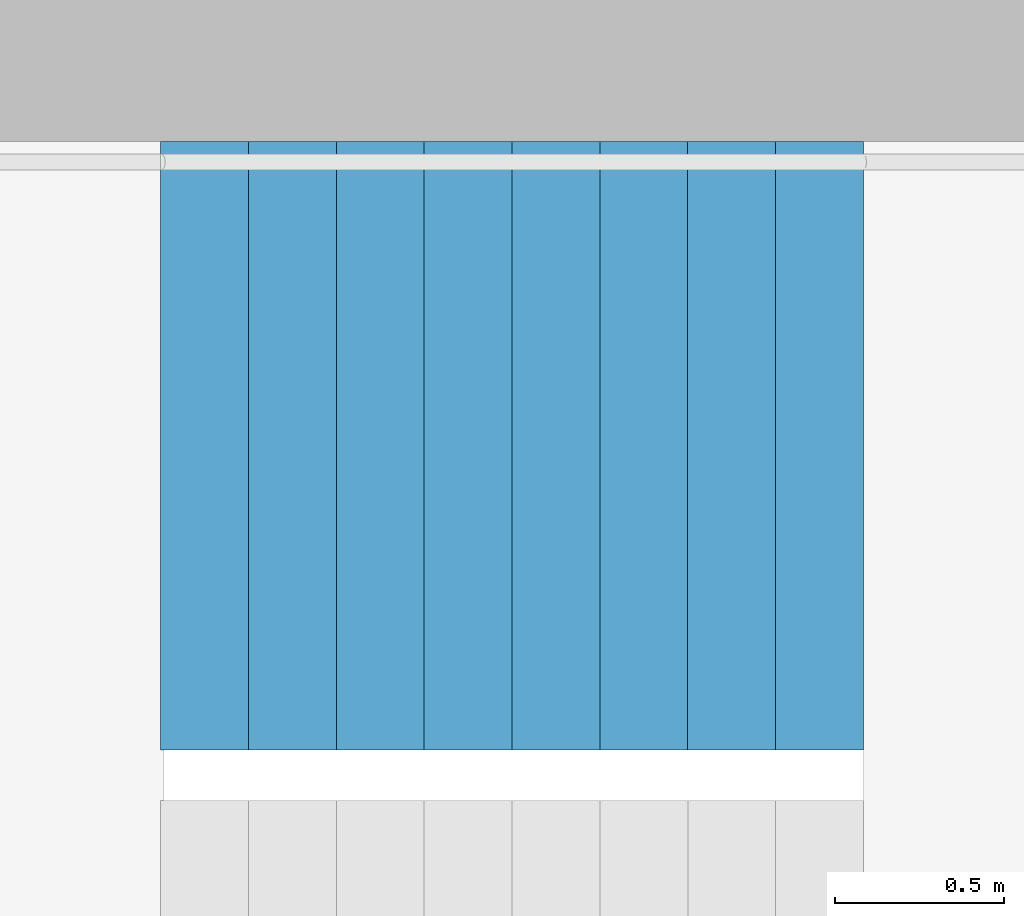
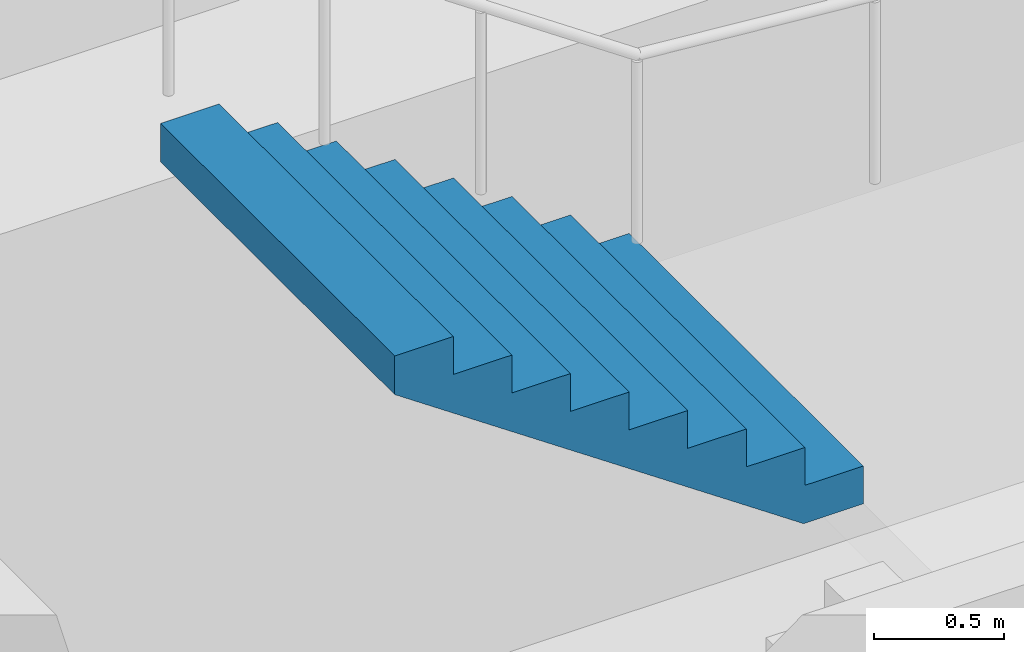
# One storey, part 21 of 26: 1 stair flight, 1 element without a shape of its own.
"""IFC4 building model written with IfcOpenShell, lengths in metres."""

import ifcopenshell
import ifcopenshell.guid

model = None  # the IFC model being written
_history = None  # IfcOwnerHistory: only IFC2X3 demands one
_inside = {}  # id of a spatial element -> (the spatial element, [elements in it])
_under = {}  # id of a project, library or spatial element -> (it, [spatial elements below it])
_declared = {}  # id of a project -> (the project, [libraries it declares])
_typed = {}  # id of a type object -> (the type object, [elements of that type])
_made_of = {}  # id of a material, layer set ... -> (it, [elements and type objects made of it])


def new_model(schema):
    """Start an empty IFC model of exactly this schema.

    Asked for "IFC4X3", IfcOpenShell would pick the latest addendum, in which some entities
    have other attributes; the version numbers below select the first issue.
    IFC2X3 requires an IfcOwnerHistory on every rooted entity: one is made here for all.
    """
    global model, _history
    if schema == "IFC4X3":
        model = ifcopenshell.file(schema_version=(4, 3, 0, 0))
    else:
        model = ifcopenshell.file(schema=schema)
    _inside.clear()
    _under.clear()
    _declared.clear()
    _typed.clear()
    _made_of.clear()
    _history = None
    if model.schema == "IFC2X3":
        org = make("IfcOrganization", Name="unknown")
        user = make(
            "IfcPersonAndOrganization",
            ThePerson=make("IfcPerson", FamilyName="unknown"),
            TheOrganization=org,
        )
        app = make(
            "IfcApplication",
            ApplicationDeveloper=org,
            Version="unknown",
            ApplicationFullName="unknown",
            ApplicationIdentifier="unknown",
        )
        _history = make(
            "IfcOwnerHistory",
            OwningUser=user,
            OwningApplication=app,
            ChangeAction="ADDED",
            CreationDate=0,
        )
    return model


def make(cls, **values):
    """One entity of the class cls with the attributes given. An attribute that is None is left unset."""
    return model.create_entity(
        cls, **{name: value for name, value in values.items() if value is not None}
    )


def rooted(cls, **values):
    """An entity with a GlobalId (a new one), such as an element, a storey or a relation."""
    return make(cls, GlobalId=ifcopenshell.guid.new(), OwnerHistory=_history, **values)


def si_unit(unit_type, name, prefix=None):
    """IfcSIUnit, for example si_unit("LENGTHUNIT", "METRE", prefix="MILLI")."""
    return make("IfcSIUnit", UnitType=unit_type, Prefix=prefix, Name=name)


def assignment(units):
    """IfcUnitAssignment: the units of a project."""
    return None if units is None else make("IfcUnitAssignment", Units=units)


def point(xyz):
    """IfcCartesianPoint."""
    return None if xyz is None else make("IfcCartesianPoint", Coordinates=xyz)


def direction(xyz):
    """IfcDirection."""
    return None if xyz is None else make("IfcDirection", DirectionRatios=xyz)


def frame(location, z_axis=None, x_axis=None):
    """IfcAxis2Placement3D, a coordinate frame: its origin and axes. An axis left out is left unset."""
    return make(
        "IfcAxis2Placement3D",
        Location=point(location),
        Axis=direction(z_axis),
        RefDirection=direction(x_axis),
    )


def origin():
    """The frame at (0, 0, 0) with its axes left unset."""
    return frame((0.0, 0.0, 0.0))


def place(relative_to, where):
    """IfcLocalPlacement: puts the frame where relative to a parent placement (None: the world)."""
    return make(
        "IfcLocalPlacement", PlacementRelTo=relative_to, RelativePlacement=where
    )


def context(
    kind, dimensions, precision=None, world=None, true_north=None, identifier=None
):
    """IfcGeometricRepresentationContext, for example the 3D "Model" context."""
    return make(
        "IfcGeometricRepresentationContext",
        ContextIdentifier=identifier,
        ContextType=kind,
        CoordinateSpaceDimension=dimensions,
        Precision=precision,
        WorldCoordinateSystem=world,
        TrueNorth=true_north,
    )


def subcontext(parent, identifier, kind, view, scale=None):
    """IfcGeometricRepresentationSubContext, for example "Body" below "Model"."""
    return make(
        "IfcGeometricRepresentationSubContext",
        ContextIdentifier=identifier,
        ContextType=kind,
        ParentContext=parent,
        TargetScale=scale,
        TargetView=view,
    )


def project(units=None, contexts=None):
    """IfcProject with its units and contexts."""
    return rooted(
        "IfcProject",
        Name="project",
        RepresentationContexts=contexts,
        UnitsInContext=assignment(units),
    )


def spatial(cls, under=None, at=None, **own):
    """A site, building, storey or space (cls), placed at a placement, below another one or the project."""
    s = rooted(cls, ObjectPlacement=at, **own)
    if under is not None:
        _under.setdefault(under.id(), (under, []))[1].append(s)
    return s


def point_list(points):
    """IfcCartesianPointList2D or 3D."""
    cls = (
        "IfcCartesianPointList2D" if len(points[0]) == 2 else "IfcCartesianPointList3D"
    )
    return make(cls, CoordList=points)


def triangles(points, corners, closed=None, point_numbers=None):
    """IfcTriangulatedFaceSet: each triangle names its three corners, points numbered from 1."""
    return make(
        "IfcTriangulatedFaceSet",
        Coordinates=point_list(points),
        Closed=closed,
        CoordIndex=corners,
        PnIndex=point_numbers,
    )


def shape(context_of_items, identifier, shape_type, items):
    """IfcShapeRepresentation: the items that make up one representation, for example the "Body"."""
    return make(
        "IfcShapeRepresentation",
        ContextOfItems=context_of_items,
        RepresentationIdentifier=identifier,
        RepresentationType=shape_type,
        Items=items,
    )


def material(Name=None, Category=None):
    """IfcMaterial."""
    return make("IfcMaterial", Name=Name, Category=Category)


def made_of(thing, what):
    """Note that an element or type object is made of a material, layer set ...; save() writes the relation."""
    if what is not None:
        _made_of.setdefault(what.id(), (what, []))[1].append(thing)
    return thing


def type_object(cls, material=None, **own):
    """A type object (cls), such as IfcWallType, which elements share."""
    return made_of(rooted(cls, **own), material)


def element(
    cls,
    number,
    at=None,
    inside=None,
    cuts=None,
    type_object=None,
    material=None,
    context=None,
    identifier="Body",
    shape_type=None,
    held_by="IfcProductDefinitionShape",
    body=None,
    shapes=None,
    **own,
):
    """One element of the class cls, such as IfcWall. Its Tag is "e" and its number.

    at: its placement. inside: the storey or other place that contains it. cuts: it is an
    opening in that element (IfcRelVoidsElement). A single representation is given by context,
    identifier, shape_type and body (its items); several are given by shapes. held_by: the class
    of the entity that holds the representations. save() writes the other relations.
    """
    e = rooted(cls, Tag="e%d" % number, ObjectPlacement=at, **own)
    if body is not None:
        shapes = [shape(context, identifier, shape_type, body)]
    if shapes is not None:
        e.Representation = make(held_by, Representations=shapes)
    if inside is not None:
        _inside.setdefault(inside.id(), (inside, []))[1].append(e)
    if cuts is not None:
        rooted(
            "IfcRelVoidsElement", RelatingBuildingElement=cuts, RelatedOpeningElement=e
        )
    if type_object is not None:
        _typed.setdefault(type_object.id(), (type_object, []))[1].append(e)
    return made_of(e, material)


def aggregate(whole, parts):
    """IfcRelAggregates: a whole, such as a stair, and the parts it consists of."""
    return rooted("IfcRelAggregates", RelatingObject=whole, RelatedObjects=parts)


def save(model, path):
    """Write the relations noted so far, then the file.

    IfcRelAggregates (storeys below a building ...), IfcRelContainedInSpatialStructure (elements
    in a storey), IfcRelDefinesByType, IfcRelAssociatesMaterial and IfcRelDeclares: one each for
    every whole, place, type object, material and project.
    """
    for whole, parts in _under.values():
        aggregate(whole, parts)
    for where, things in _inside.values():
        rooted(
            "IfcRelContainedInSpatialStructure",
            RelatedElements=things,
            RelatingStructure=where,
        )
    for kind, things in _typed.values():
        rooted("IfcRelDefinesByType", RelatedObjects=things, RelatingType=kind)
    for what, things in _made_of.values():
        rooted("IfcRelAssociatesMaterial", RelatedObjects=things, RelatingMaterial=what)
    for by, libraries in _declared.values():
        rooted("IfcRelDeclares", RelatingContext=by, RelatedDefinitions=libraries)
    model.write(path)


model = new_model("IFC4")

# Units and contexts
model_context = context("Model", 3, precision=1e-05, world=origin(), true_north=direction((0.0, 1.0)))
body_context = subcontext(model_context, "Body", "Model", "MODEL_VIEW")
ifc_project = project(units=[si_unit("LENGTHUNIT", "METRE"), si_unit("AREAUNIT", "SQUARE_METRE"), si_unit("VOLUMEUNIT", "CUBIC_METRE"), si_unit("PLANEANGLEUNIT", "RADIAN"), si_unit("MASSUNIT", "GRAM", prefix="KILO")], contexts=[model_context])

# Site, building, storey
site_placement = place(None, origin())
site = spatial("IfcSite", under=ifc_project, at=site_placement, CompositionType="ELEMENT")
building_placement = place(site_placement, origin())
building = spatial("IfcBuilding", under=site, at=building_placement, Name="Hakoniwa Tower and Hamabe Station Hall", CompositionType="ELEMENT")
storey_placement = place(building_placement, frame((0.0, 0.0, 251.800048828125)))
storey = spatial("IfcBuildingStorey", under=building, at=storey_placement, Name="L71", CompositionType="ELEMENT", Elevation=251.800048828125)

# Stair, stair flight
ifc_material_1 = material(Name="Concrete C40", Category="concrete")
stair_type = type_object("IfcStairType", Name="ESCAPE STAIR 1800", PredefinedType="HALF_TURN_STAIR", material=ifc_material_1)
stair_placement = place(storey_placement, origin())
stair = element("IfcStair", 1, at=stair_placement, inside=storey, type_object=stair_type, Name="Escape stair ST-1 L71", PredefinedType="HALF_TURN_STAIR")
ifc_material_2 = material(Name="Concrete C40", Category="concrete")
stair_flight_type = type_object("IfcStairFlightType", Name="STAIR FLIGHT 1800", PredefinedType="STRAIGHT", material=ifc_material_2)
stair_flight_placement = place(storey_placement, frame((-22.320068359375, 6.60009765625, 1.599853515625), z_axis=(0.0, 0.0, 1.0), x_axis=(-1.0, 0.0, 0.0)))
stair_flight = element("IfcStairFlight", 2, at=stair_flight_placement, type_object=stair_flight_type, Name="ST-1 flight 2", NumberOfRisers=9, NumberOfTreads=8, PredefinedType="STRAIGHT", RiserHeight=0.177777778, TreadLength=0.26, context=body_context, shape_type="Tessellation", body=[
    triangles([(0.0, 0.89990234375, 0.0), (0.260009765625, 0.89990234375, 0.0), (0.265625, 0.89990234375, 0.0), (0.52001953125, 0.89990234375, 0.174072265625), (0.780029296875, 0.89990234375, 0.351806640625), (1.0400390625, 0.89990234375, 0.529541015625), (1.300048828125, 0.89990234375, 0.707275390625), (1.56005859375, 0.89990234375, 0.885009765625), (1.820068359375, 0.89990234375, 1.062744140625), (2.080078125, 0.89990234375, 1.24072265625), (2.080078125, 0.89990234375, 1.422119140625), (1.820068359375, 0.89990234375, 1.422119140625), (1.820068359375, 0.89990234375, 1.244384765625), (1.56005859375, 0.89990234375, 1.244384765625), (1.56005859375, 0.89990234375, 1.066650390625), (1.300048828125, 0.89990234375, 1.066650390625), (1.300048828125, 0.89990234375, 0.888916015625), (1.0400390625, 0.89990234375, 0.888916015625), (1.0400390625, 0.89990234375, 0.711181640625), (0.780029296875, 0.89990234375, 0.711181640625), (0.780029296875, 0.89990234375, 0.533447265625), (0.52001953125, 0.89990234375, 0.533447265625), (0.52001953125, 0.89990234375, 0.35546875), (0.265625, 0.89990234375, 0.35546875), (0.260009765625, 0.89990234375, 0.35546875), (0.260009765625, 0.89990234375, 0.177734375), (0.0, 0.89990234375, 0.177734375), (0.0, 0.06005859375, 0.0), (0.260009765625, 0.06005859375, 0.0), (0.265625, 0.06005859375, 0.0), (0.52001953125, 0.06005859375, 0.174072265625), (0.780029296875, 0.06005859375, 0.351806640625), (1.0400390625, 0.06005859375, 0.529541015625), (1.300048828125, 0.06005859375, 0.707275390625), (1.56005859375, 0.06005859375, 0.885009765625), (1.820068359375, 0.06005859375, 1.062744140625), (2.080078125, 0.06005859375, 1.24072265625), (2.080078125, 0.06005859375, 1.422119140625), (1.820068359375, 0.06005859375, 1.422119140625), (1.820068359375, 0.06005859375, 1.244384765625), (1.56005859375, 0.06005859375, 1.244384765625), (1.56005859375, 0.06005859375, 1.066650390625), (1.300048828125, 0.06005859375, 1.066650390625), (1.300048828125, 0.06005859375, 0.888916015625), (1.0400390625, 0.06005859375, 0.888916015625), (1.0400390625, 0.06005859375, 0.711181640625), (0.780029296875, 0.06005859375, 0.711181640625), (0.780029296875, 0.06005859375, 0.533447265625), (0.52001953125, 0.06005859375, 0.533447265625), (0.52001953125, 0.06005859375, 0.35546875), (0.265625, 0.06005859375, 0.35546875), (0.260009765625, 0.06005859375, 0.35546875), (0.260009765625, 0.06005859375, 0.177734375), (0.0, 0.06005859375, 0.177734375), (0.0, 0.04296875, 0.0), (0.260009765625, 0.04296875, 0.0), (0.265625, 0.04296875, 0.0), (0.52001953125, 0.04296875, 0.174072265625), (0.780029296875, 0.04296875, 0.351806640625), (1.0400390625, 0.04296875, 0.529541015625), (1.300048828125, 0.04296875, 0.707275390625), (1.56005859375, 0.04296875, 0.885009765625), (1.820068359375, 0.04296875, 1.062744140625), (2.080078125, 0.04296875, 1.24072265625), (2.080078125, 0.04296875, 1.422119140625), (1.820068359375, 0.04296875, 1.422119140625), (1.820068359375, 0.04296875, 1.244384765625), (1.56005859375, 0.04296875, 1.244384765625), (1.56005859375, 0.04296875, 1.066650390625), (1.300048828125, 0.04296875, 1.066650390625), (1.300048828125, 0.04296875, 0.888916015625), (1.0400390625, 0.04296875, 0.888916015625), (1.0400390625, 0.04296875, 0.711181640625), (0.780029296875, 0.04296875, 0.711181640625), (0.780029296875, 0.04296875, 0.533447265625), (0.52001953125, 0.04296875, 0.533447265625), (0.52001953125, 0.04296875, 0.35546875), (0.265625, 0.04296875, 0.35546875), (0.260009765625, 0.04296875, 0.35546875), (0.260009765625, 0.04296875, 0.177734375), (0.0, 0.04296875, 0.177734375), (0.0, 0.025634765625, 0.0), (0.260009765625, 0.025634765625, 0.0), (0.265625, 0.025634765625, 0.0), (0.52001953125, 0.025634765625, 0.174072265625), (0.780029296875, 0.025634765625, 0.351806640625), (1.0400390625, 0.025634765625, 0.529541015625), (1.300048828125, 0.025634765625, 0.707275390625), (1.56005859375, 0.025634765625, 0.885009765625), (1.820068359375, 0.025634765625, 1.062744140625), (2.080078125, 0.025634765625, 1.24072265625), (2.080078125, 0.025634765625, 1.422119140625), (1.820068359375, 0.025634765625, 1.422119140625), (1.820068359375, 0.025634765625, 1.244384765625), (1.56005859375, 0.025634765625, 1.244384765625), (1.56005859375, 0.025634765625, 1.066650390625), (1.300048828125, 0.025634765625, 1.066650390625), (1.300048828125, 0.025634765625, 0.888916015625), (1.0400390625, 0.025634765625, 0.888916015625), (1.0400390625, 0.025634765625, 0.711181640625), (0.780029296875, 0.025634765625, 0.711181640625), (0.780029296875, 0.025634765625, 0.533447265625), (0.52001953125, 0.025634765625, 0.533447265625), (0.52001953125, 0.025634765625, 0.35546875), (0.265625, 0.025634765625, 0.35546875), (0.260009765625, 0.025634765625, 0.35546875), (0.260009765625, 0.025634765625, 0.177734375), (0.0, 0.025634765625, 0.177734375), (0.0, 0.008544921875, 0.0), (0.260009765625, 0.008544921875, 0.0), (0.265625, 0.008544921875, 0.0), (0.52001953125, 0.008544921875, 0.174072265625), (0.780029296875, 0.008544921875, 0.351806640625), (1.0400390625, 0.008544921875, 0.529541015625), (1.300048828125, 0.008544921875, 0.707275390625), (1.56005859375, 0.008544921875, 0.885009765625), (1.820068359375, 0.008544921875, 1.062744140625), (2.080078125, 0.008544921875, 1.24072265625), (2.080078125, 0.008544921875, 1.422119140625), (1.820068359375, 0.008544921875, 1.422119140625), (1.820068359375, 0.008544921875, 1.244384765625), (1.56005859375, 0.008544921875, 1.244384765625), (1.56005859375, 0.008544921875, 1.066650390625), (1.300048828125, 0.008544921875, 1.066650390625), (1.300048828125, 0.008544921875, 0.888916015625), (1.0400390625, 0.008544921875, 0.888916015625), (1.0400390625, 0.008544921875, 0.711181640625), (0.780029296875, 0.008544921875, 0.711181640625), (0.780029296875, 0.008544921875, 0.533447265625), (0.52001953125, 0.008544921875, 0.533447265625), (0.52001953125, 0.008544921875, 0.35546875), (0.265625, 0.008544921875, 0.35546875), (0.260009765625, 0.008544921875, 0.35546875), (0.260009765625, 0.008544921875, 0.177734375), (0.0, 0.008544921875, 0.177734375), (0.0, -0.008544921875, 0.0), (0.260009765625, -0.008544921875, 0.0), (0.265625, -0.008544921875, 0.0), (0.52001953125, -0.008544921875, 0.174072265625), (0.780029296875, -0.008544921875, 0.351806640625), (1.0400390625, -0.008544921875, 0.529541015625), (1.300048828125, -0.008544921875, 0.707275390625), (1.56005859375, -0.008544921875, 0.885009765625), (1.820068359375, -0.008544921875, 1.062744140625), (2.080078125, -0.008544921875, 1.24072265625), (2.080078125, -0.008544921875, 1.422119140625), (1.820068359375, -0.008544921875, 1.422119140625), (1.820068359375, -0.008544921875, 1.244384765625), (1.56005859375, -0.008544921875, 1.244384765625), (1.56005859375, -0.008544921875, 1.066650390625), (1.300048828125, -0.008544921875, 1.066650390625), (1.300048828125, -0.008544921875, 0.888916015625), (1.0400390625, -0.008544921875, 0.888916015625), (1.0400390625, -0.008544921875, 0.711181640625), (0.780029296875, -0.008544921875, 0.711181640625), (0.780029296875, -0.008544921875, 0.533447265625), (0.52001953125, -0.008544921875, 0.533447265625), (0.52001953125, -0.008544921875, 0.35546875), (0.265625, -0.008544921875, 0.35546875), (0.260009765625, -0.008544921875, 0.35546875), (0.260009765625, -0.008544921875, 0.177734375), (0.0, -0.008544921875, 0.177734375), (0.0, -0.025634765625, 0.0), (0.260009765625, -0.025634765625, 0.0), (0.265625, -0.025634765625, 0.0), (0.52001953125, -0.025634765625, 0.174072265625), (0.780029296875, -0.025634765625, 0.351806640625), (1.0400390625, -0.025634765625, 0.529541015625), (1.300048828125, -0.025634765625, 0.707275390625), (1.56005859375, -0.025634765625, 0.885009765625), (1.820068359375, -0.025634765625, 1.062744140625), (2.080078125, -0.025634765625, 1.24072265625), (2.080078125, -0.025634765625, 1.422119140625), (1.820068359375, -0.025634765625, 1.422119140625), (1.820068359375, -0.025634765625, 1.244384765625), (1.56005859375, -0.025634765625, 1.244384765625), (1.56005859375, -0.025634765625, 1.066650390625), (1.300048828125, -0.025634765625, 1.066650390625), (1.300048828125, -0.025634765625, 0.888916015625), (1.0400390625, -0.025634765625, 0.888916015625), (1.0400390625, -0.025634765625, 0.711181640625), (0.780029296875, -0.025634765625, 0.711181640625), (0.780029296875, -0.025634765625, 0.533447265625), (0.52001953125, -0.025634765625, 0.533447265625), (0.52001953125, -0.025634765625, 0.35546875), (0.265625, -0.025634765625, 0.35546875), (0.260009765625, -0.025634765625, 0.35546875), (0.260009765625, -0.025634765625, 0.177734375), (0.0, -0.025634765625, 0.177734375), (0.0, -0.04296875, 0.0), (0.260009765625, -0.04296875, 0.0), (0.265625, -0.04296875, 0.0), (0.52001953125, -0.04296875, 0.174072265625), (0.780029296875, -0.04296875, 0.351806640625), (1.0400390625, -0.04296875, 0.529541015625), (1.300048828125, -0.04296875, 0.707275390625), (1.56005859375, -0.04296875, 0.885009765625), (1.820068359375, -0.04296875, 1.062744140625), (2.080078125, -0.04296875, 1.24072265625), (2.080078125, -0.04296875, 1.422119140625), (1.820068359375, -0.04296875, 1.422119140625), (1.820068359375, -0.04296875, 1.244384765625), (1.56005859375, -0.04296875, 1.244384765625), (1.56005859375, -0.04296875, 1.066650390625), (1.300048828125, -0.04296875, 1.066650390625), (1.300048828125, -0.04296875, 0.888916015625), (1.0400390625, -0.04296875, 0.888916015625), (1.0400390625, -0.04296875, 0.711181640625), (0.780029296875, -0.04296875, 0.711181640625), (0.780029296875, -0.04296875, 0.533447265625), (0.52001953125, -0.04296875, 0.533447265625), (0.52001953125, -0.04296875, 0.35546875), (0.265625, -0.04296875, 0.35546875), (0.260009765625, -0.04296875, 0.35546875), (0.260009765625, -0.04296875, 0.177734375), (0.0, -0.04296875, 0.177734375), (0.0, -0.06005859375, 0.0), (0.260009765625, -0.06005859375, 0.0), (0.265625, -0.06005859375, 0.0), (0.52001953125, -0.06005859375, 0.174072265625), (0.780029296875, -0.06005859375, 0.351806640625), (1.0400390625, -0.06005859375, 0.529541015625), (1.300048828125, -0.06005859375, 0.707275390625), (1.56005859375, -0.06005859375, 0.885009765625), (1.820068359375, -0.06005859375, 1.062744140625), (2.080078125, -0.06005859375, 1.24072265625), (2.080078125, -0.06005859375, 1.422119140625), (1.820068359375, -0.06005859375, 1.422119140625), (1.820068359375, -0.06005859375, 1.244384765625), (1.56005859375, -0.06005859375, 1.244384765625), (1.56005859375, -0.06005859375, 1.066650390625), (1.300048828125, -0.06005859375, 1.066650390625), (1.300048828125, -0.06005859375, 0.888916015625), (1.0400390625, -0.06005859375, 0.888916015625), (1.0400390625, -0.06005859375, 0.711181640625), (0.780029296875, -0.06005859375, 0.711181640625), (0.780029296875, -0.06005859375, 0.533447265625), (0.52001953125, -0.06005859375, 0.533447265625), (0.52001953125, -0.06005859375, 0.35546875), (0.265625, -0.06005859375, 0.35546875), (0.260009765625, -0.06005859375, 0.35546875), (0.260009765625, -0.06005859375, 0.177734375), (0.0, -0.06005859375, 0.177734375), (0.0, -0.89990234375, 0.0), (0.260009765625, -0.89990234375, 0.0), (0.265625, -0.89990234375, 0.0), (0.52001953125, -0.89990234375, 0.174072265625), (0.780029296875, -0.89990234375, 0.351806640625), (1.0400390625, -0.89990234375, 0.529541015625), (1.300048828125, -0.89990234375, 0.707275390625), (1.56005859375, -0.89990234375, 0.885009765625), (1.820068359375, -0.89990234375, 1.062744140625), (2.080078125, -0.89990234375, 1.24072265625), (2.080078125, -0.89990234375, 1.422119140625), (1.820068359375, -0.89990234375, 1.422119140625), (1.820068359375, -0.89990234375, 1.244384765625), (1.56005859375, -0.89990234375, 1.244384765625), (1.56005859375, -0.89990234375, 1.066650390625), (1.300048828125, -0.89990234375, 1.066650390625), (1.300048828125, -0.89990234375, 0.888916015625), (1.0400390625, -0.89990234375, 0.888916015625), (1.0400390625, -0.89990234375, 0.711181640625), (0.780029296875, -0.89990234375, 0.711181640625), (0.780029296875, -0.89990234375, 0.533447265625), (0.52001953125, -0.89990234375, 0.533447265625), (0.52001953125, -0.89990234375, 0.35546875), (0.265625, -0.89990234375, 0.35546875), (0.260009765625, -0.89990234375, 0.35546875), (0.260009765625, -0.89990234375, 0.177734375), (0.0, -0.89990234375, 0.177734375)], [[2, 27, 26], [245, 269, 270], [2, 1, 27], [245, 270, 244], [3, 25, 24], [246, 267, 268], [3, 26, 25], [246, 268, 269], [3, 2, 26], [246, 269, 245], [4, 24, 23], [247, 266, 267], [4, 3, 24], [247, 267, 246], [5, 22, 21], [248, 264, 265], [5, 23, 22], [248, 265, 266], [5, 4, 23], [248, 266, 247], [6, 20, 19], [249, 262, 263], [6, 21, 20], [249, 263, 264], [6, 5, 21], [249, 264, 248], [7, 18, 17], [250, 260, 261], [7, 19, 18], [250, 261, 262], [7, 6, 19], [250, 262, 249], [8, 16, 15], [251, 258, 259], [8, 17, 16], [251, 259, 260], [8, 7, 17], [251, 260, 250], [9, 14, 13], [252, 256, 257], [9, 15, 14], [252, 257, 258], [9, 8, 15], [252, 258, 251], [10, 12, 11], [253, 254, 255], [10, 13, 12], [253, 255, 256], [10, 9, 13], [253, 256, 252], [1, 2, 29], [1, 29, 28], [28, 29, 56], [28, 56, 55], [55, 56, 83], [55, 83, 82], [82, 83, 110], [82, 110, 109], [109, 110, 137], [109, 137, 136], [136, 137, 164], [136, 164, 163], [163, 164, 191], [163, 191, 190], [190, 191, 218], [190, 218, 217], [217, 218, 245], [217, 245, 244], [2, 3, 30], [2, 30, 29], [29, 30, 57], [29, 57, 56], [56, 57, 84], [56, 84, 83], [83, 84, 111], [83, 111, 110], [110, 111, 138], [110, 138, 137], [137, 138, 165], [137, 165, 164], [164, 165, 192], [164, 192, 191], [191, 192, 219], [191, 219, 218], [218, 219, 246], [218, 246, 245], [3, 4, 31], [3, 31, 30], [30, 31, 58], [30, 58, 57], [57, 58, 85], [57, 85, 84], [84, 85, 112], [84, 112, 111], [111, 112, 139], [111, 139, 138], [138, 139, 166], [138, 166, 165], [165, 166, 193], [165, 193, 192], [192, 193, 220], [192, 220, 219], [219, 220, 247], [219, 247, 246], [4, 5, 32], [4, 32, 31], [31, 32, 59], [31, 59, 58], [58, 59, 86], [58, 86, 85], [85, 86, 113], [85, 113, 112], [112, 113, 140], [112, 140, 139], [139, 140, 167], [139, 167, 166], [166, 167, 194], [166, 194, 193], [193, 194, 221], [193, 221, 220], [220, 221, 248], [220, 248, 247], [5, 6, 33], [5, 33, 32], [32, 33, 60], [32, 60, 59], [59, 60, 87], [59, 87, 86], [86, 87, 114], [86, 114, 113], [113, 114, 141], [113, 141, 140], [140, 141, 168], [140, 168, 167], [167, 168, 195], [167, 195, 194], [194, 195, 222], [194, 222, 221], [221, 222, 249], [221, 249, 248], [6, 7, 34], [6, 34, 33], [33, 34, 61], [33, 61, 60], [60, 61, 88], [60, 88, 87], [87, 88, 115], [87, 115, 114], [114, 115, 142], [114, 142, 141], [141, 142, 169], [141, 169, 168], [168, 169, 196], [168, 196, 195], [195, 196, 223], [195, 223, 222], [222, 223, 250], [222, 250, 249], [7, 8, 35], [7, 35, 34], [34, 35, 62], [34, 62, 61], [61, 62, 89], [61, 89, 88], [88, 89, 116], [88, 116, 115], [115, 116, 143], [115, 143, 142], [142, 143, 170], [142, 170, 169], [169, 170, 197], [169, 197, 196], [196, 197, 224], [196, 224, 223], [223, 224, 251], [223, 251, 250], [8, 9, 36], [8, 36, 35], [35, 36, 63], [35, 63, 62], [62, 63, 90], [62, 90, 89], [89, 90, 117], [89, 117, 116], [116, 117, 144], [116, 144, 143], [143, 144, 171], [143, 171, 170], [170, 171, 198], [170, 198, 197], [197, 198, 225], [197, 225, 224], [224, 225, 252], [224, 252, 251], [9, 10, 37], [9, 37, 36], [36, 37, 64], [36, 64, 63], [63, 64, 91], [63, 91, 90], [90, 91, 118], [90, 118, 117], [117, 118, 145], [117, 145, 144], [144, 145, 172], [144, 172, 171], [171, 172, 199], [171, 199, 198], [198, 199, 226], [198, 226, 225], [225, 226, 253], [225, 253, 252], [10, 11, 38], [10, 38, 37], [37, 38, 65], [37, 65, 64], [64, 65, 92], [64, 92, 91], [91, 92, 119], [91, 119, 118], [118, 119, 146], [118, 146, 145], [145, 146, 173], [145, 173, 172], [172, 173, 200], [172, 200, 199], [199, 200, 227], [199, 227, 226], [226, 227, 254], [226, 254, 253], [11, 12, 39], [11, 39, 38], [38, 39, 66], [38, 66, 65], [65, 66, 93], [65, 93, 92], [92, 93, 120], [92, 120, 119], [119, 120, 147], [119, 147, 146], [146, 147, 174], [146, 174, 173], [173, 174, 201], [173, 201, 200], [200, 201, 228], [200, 228, 227], [227, 228, 255], [227, 255, 254], [12, 13, 40], [12, 40, 39], [39, 40, 67], [39, 67, 66], [66, 67, 94], [66, 94, 93], [93, 94, 121], [93, 121, 120], [120, 121, 148], [120, 148, 147], [147, 148, 175], [147, 175, 174], [174, 175, 202], [174, 202, 201], [201, 202, 229], [201, 229, 228], [228, 229, 256], [228, 256, 255], [13, 14, 41], [13, 41, 40], [40, 41, 68], [40, 68, 67], [67, 68, 95], [67, 95, 94], [94, 95, 122], [94, 122, 121], [121, 122, 149], [121, 149, 148], [148, 149, 176], [148, 176, 175], [175, 176, 203], [175, 203, 202], [202, 203, 230], [202, 230, 229], [229, 230, 257], [229, 257, 256], [14, 15, 42], [14, 42, 41], [41, 42, 69], [41, 69, 68], [68, 69, 96], [68, 96, 95], [95, 96, 123], [95, 123, 122], [122, 123, 150], [122, 150, 149], [149, 150, 177], [149, 177, 176], [176, 177, 204], [176, 204, 203], [203, 204, 231], [203, 231, 230], [230, 231, 258], [230, 258, 257], [15, 16, 43], [15, 43, 42], [42, 43, 70], [42, 70, 69], [69, 70, 97], [69, 97, 96], [96, 97, 124], [96, 124, 123], [123, 124, 151], [123, 151, 150], [150, 151, 178], [150, 178, 177], [177, 178, 205], [177, 205, 204], [204, 205, 232], [204, 232, 231], [231, 232, 259], [231, 259, 258], [16, 17, 44], [16, 44, 43], [43, 44, 71], [43, 71, 70], [70, 71, 98], [70, 98, 97], [97, 98, 125], [97, 125, 124], [124, 125, 152], [124, 152, 151], [151, 152, 179], [151, 179, 178], [178, 179, 206], [178, 206, 205], [205, 206, 233], [205, 233, 232], [232, 233, 260], [232, 260, 259], [17, 18, 45], [17, 45, 44], [44, 45, 72], [44, 72, 71], [71, 72, 99], [71, 99, 98], [98, 99, 126], [98, 126, 125], [125, 126, 153], [125, 153, 152], [152, 153, 180], [152, 180, 179], [179, 180, 207], [179, 207, 206], [206, 207, 234], [206, 234, 233], [233, 234, 261], [233, 261, 260], [18, 19, 46], [18, 46, 45], [45, 46, 73], [45, 73, 72], [72, 73, 100], [72, 100, 99], [99, 100, 127], [99, 127, 126], [126, 127, 154], [126, 154, 153], [153, 154, 181], [153, 181, 180], [180, 181, 208], [180, 208, 207], [207, 208, 235], [207, 235, 234], [234, 235, 262], [234, 262, 261], [19, 20, 47], [19, 47, 46], [46, 47, 74], [46, 74, 73], [73, 74, 101], [73, 101, 100], [100, 101, 128], [100, 128, 127], [127, 128, 155], [127, 155, 154], [154, 155, 182], [154, 182, 181], [181, 182, 209], [181, 209, 208], [208, 209, 236], [208, 236, 235], [235, 236, 263], [235, 263, 262], [20, 21, 48], [20, 48, 47], [47, 48, 75], [47, 75, 74], [74, 75, 102], [74, 102, 101], [101, 102, 129], [101, 129, 128], [128, 129, 156], [128, 156, 155], [155, 156, 183], [155, 183, 182], [182, 183, 210], [182, 210, 209], [209, 210, 237], [209, 237, 236], [236, 237, 264], [236, 264, 263], [21, 22, 49], [21, 49, 48], [48, 49, 76], [48, 76, 75], [75, 76, 103], [75, 103, 102], [102, 103, 130], [102, 130, 129], [129, 130, 157], [129, 157, 156], [156, 157, 184], [156, 184, 183], [183, 184, 211], [183, 211, 210], [210, 211, 238], [210, 238, 237], [237, 238, 265], [237, 265, 264], [22, 23, 50], [22, 50, 49], [49, 50, 77], [49, 77, 76], [76, 77, 104], [76, 104, 103], [103, 104, 131], [103, 131, 130], [130, 131, 158], [130, 158, 157], [157, 158, 185], [157, 185, 184], [184, 185, 212], [184, 212, 211], [211, 212, 239], [211, 239, 238], [238, 239, 266], [238, 266, 265], [23, 24, 51], [23, 51, 50], [50, 51, 78], [50, 78, 77], [77, 78, 105], [77, 105, 104], [104, 105, 132], [104, 132, 131], [131, 132, 159], [131, 159, 158], [158, 159, 186], [158, 186, 185], [185, 186, 213], [185, 213, 212], [212, 213, 240], [212, 240, 239], [239, 240, 267], [239, 267, 266], [24, 25, 52], [24, 52, 51], [51, 52, 79], [51, 79, 78], [78, 79, 106], [78, 106, 105], [105, 106, 133], [105, 133, 132], [132, 133, 160], [132, 160, 159], [159, 160, 187], [159, 187, 186], [186, 187, 214], [186, 214, 213], [213, 214, 241], [213, 241, 240], [240, 241, 268], [240, 268, 267], [25, 26, 53], [25, 53, 52], [52, 53, 80], [52, 80, 79], [79, 80, 107], [79, 107, 106], [106, 107, 134], [106, 134, 133], [133, 134, 161], [133, 161, 160], [160, 161, 188], [160, 188, 187], [187, 188, 215], [187, 215, 214], [214, 215, 242], [214, 242, 241], [241, 242, 269], [241, 269, 268], [26, 27, 54], [26, 54, 53], [53, 54, 81], [53, 81, 80], [80, 81, 108], [80, 108, 107], [107, 108, 135], [107, 135, 134], [134, 135, 162], [134, 162, 161], [161, 162, 189], [161, 189, 188], [188, 189, 216], [188, 216, 215], [215, 216, 243], [215, 243, 242], [242, 243, 270], [242, 270, 269], [27, 1, 28], [27, 28, 54], [54, 28, 55], [54, 55, 81], [81, 55, 82], [81, 82, 108], [108, 82, 109], [108, 109, 135], [135, 109, 136], [135, 136, 162], [162, 136, 163], [162, 163, 189], [189, 163, 190], [189, 190, 216], [216, 190, 217], [216, 217, 243], [243, 217, 244], [243, 244, 270]], closed=True),
])
aggregate(stair, [stair_flight])

save(model, "model.ifc")
